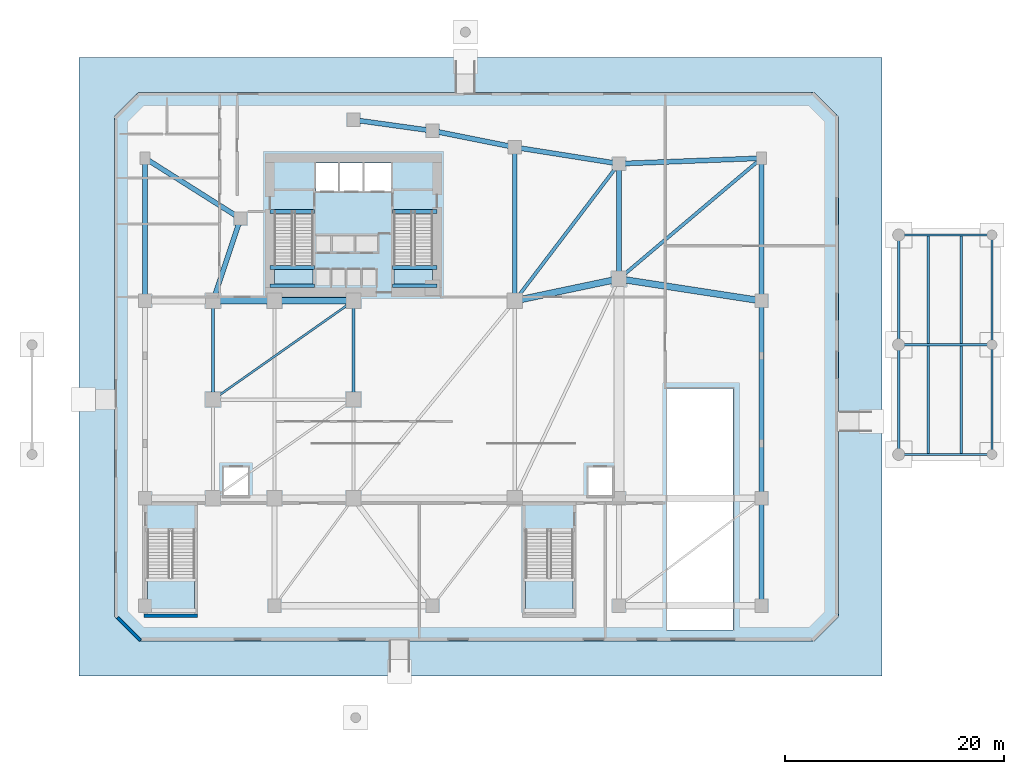
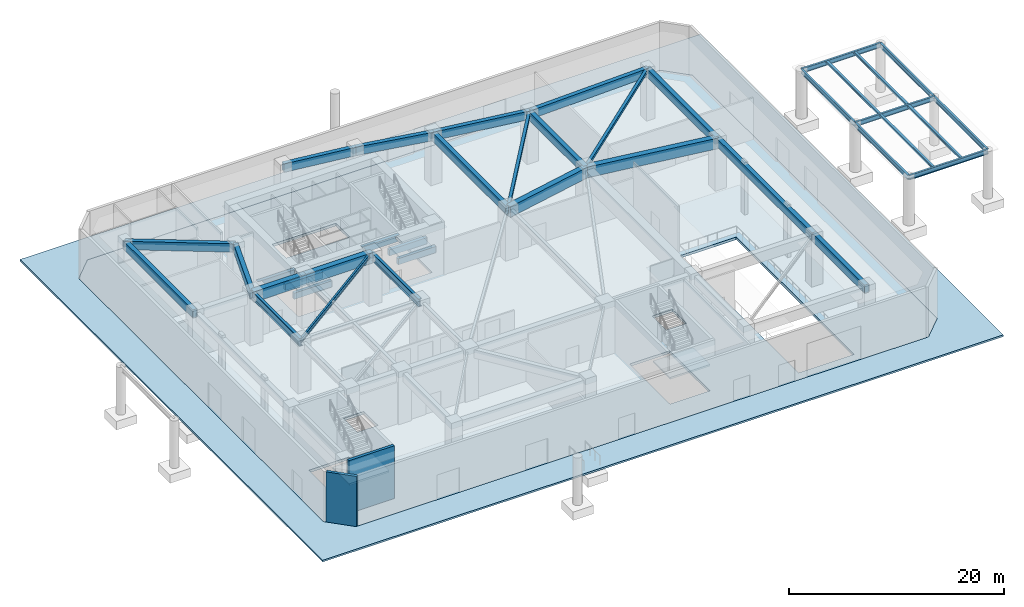
# One storey, part 2 of 13: 34 beams, 6 slabs, 4 members, 2 walls, 4 elements without a shape of their own.
"""IFC4 building model written with IfcOpenShell, lengths in metres."""

from ifc_helpers import new_model, si_unit, direction, frame, frame_2d, origin, origin_2d, place, context, subcontext, project, spatial, polyline, rectangle, i_section, outline, extrude, source, transform, mapped, material, layer, layer_set, material_profile, profile_set, type_object, element, aggregate, save


model = new_model("IFC4")

# Units and contexts
model_context = context("Model", 3, precision=1e-05, world=origin(), true_north=direction((0.0, 1.0)))
body_context = subcontext(model_context, "Body", "Model", "MODEL_VIEW")
ifc_project = project(units=[si_unit("LENGTHUNIT", "METRE"), si_unit("AREAUNIT", "SQUARE_METRE"), si_unit("VOLUMEUNIT", "CUBIC_METRE"), si_unit("PLANEANGLEUNIT", "RADIAN"), si_unit("MASSUNIT", "GRAM", prefix="KILO")], contexts=[model_context])

# Site, building, storey
site_placement = place(None, origin())
site = spatial("IfcSite", under=ifc_project, at=site_placement, CompositionType="ELEMENT")
building_placement = place(site_placement, origin())
building = spatial("IfcBuilding", under=site, at=building_placement, Name="Calvemar Wedge Station Tower", CompositionType="ELEMENT")
storey_placement = place(building_placement, origin())
storey = spatial("IfcBuildingStorey", under=building, at=storey_placement, Name="L01", CompositionType="ELEMENT", Elevation=0.0)

# Beams
ifc_material_1 = material(Name="Concrete C70", Category="concrete")
ifc_material_profile_1 = material_profile(ifc_material_1, rectangle(XDim=0.35009765625, YDim=0.699951171875, at=origin_2d()), Name="RC350x700")
ifc_profile_set_1 = profile_set([ifc_material_profile_1], Name="Concrete C70")
beam_type_1 = type_object("IfcBeamType", Name="BM-LN1-700", PredefinedType="LINTEL", material=ifc_profile_set_1)
shared_shape_1 = source(origin(), body_context, "Body", "SweptSolid", [
    extrude(rectangle(XDim=0.35009765625, YDim=0.699951171875, at=origin_2d()), origin(), (0.0, 0.0, 1.0), 4.054931640625),
])
for number, where, z_axis, x_axis, name in (
    (1, (16.175048828125, 41.14990234375, -0.35009765625), (1.0, 0.0, 0.0), (0.0, 1.0, 0.0), "Storey L01 Stair ST-C1 Landing Trimmer Beam"),
    (2, (27.3701171875, 41.14990234375, -0.35009765625), (1.0, 0.0, 0.0), (0.0, 1.0, 0.0), "Storey L01 Stair ST-C2 Landing Trimmer Beam"),
    (3, (16.175048828125, 34.3798828125, 2.449951171875), (1.0, 0.0, 0.0), (0.0, 1.0, 0.0), "Storey L01 Stair ST-C1 Half-Landing Beam 1A"),
    (4, (16.175048828125, 36.0400390625, 2.449951171875), (1.0, 0.0, 0.0), (0.0, 1.0, 0.0), "Storey L01 Stair ST-C1 Half-Landing Beam 1B"),
    (5, (27.3701171875, 34.3798828125, 2.449951171875), (1.0, 0.0, 0.0), (0.0, 1.0, 0.0), "Storey L01 Stair ST-C2 Half-Landing Beam 1A"),
    (6, (27.3701171875, 36.0400390625, 2.449951171875), (1.0, 0.0, 0.0), (0.0, 1.0, 0.0), "Storey L01 Stair ST-C2 Half-Landing Beam 1B"),
):
    element("IfcBeam", number, at=place(storey_placement, frame(where, z_axis=z_axis, x_axis=x_axis)), inside=storey, type_object=beam_type_1, Name=name, PredefinedType="LINTEL", context=body_context, shape_type="MappedRepresentation", body=[
        mapped(shared_shape_1, transform((0.0, 0.0, 0.0), scale=1.0)),
    ])
ifc_material_2 = material(Name="Concrete C60", Category="concrete")
ifc_material_profile_2 = material_profile(ifc_material_2, rectangle(XDim=0.60009765625, YDim=1.199951171875, at=origin_2d()), Name="RC600x1200")
ifc_profile_set_2 = profile_set([ifc_material_profile_2], Name="Concrete C60")
beam_type_2 = type_object("IfcBeamType", Name="BM-G1-1200", PredefinedType="BEAM", material=ifc_profile_set_2)
shared_shape_2 = source(origin(), body_context, "Body", "SweptSolid", [
    extrude(rectangle(XDim=0.60009765625, YDim=1.199951171875, at=origin_2d()), origin(), (0.0, 0.0, 1.0), 5.60009765625),
])
beam_1_placement = place(storey_placement, frame((11.0, 33.0, 5.10009765625), z_axis=(1.0, 0.0, 0.0), x_axis=(0.0, 1.0, 0.0)))
element("IfcBeam", 7, at=beam_1_placement, inside=storey, type_object=beam_type_2, Name="Storey L01 Primary Girder G12", PredefinedType="BEAM", context=body_context, shape_type="MappedRepresentation", body=[
    mapped(shared_shape_2, transform((0.0, 0.0, 0.0), scale=1.0)),
])
shared_shape_3 = source(origin(), body_context, "Body", "SweptSolid", [
    extrude(rectangle(XDim=0.60009765625, YDim=1.199951171875, at=origin_2d()), origin(), (0.0, 0.0, 1.0), 7.199951171875),
])
beam_2_placement = place(storey_placement, frame((16.60009765625, 33.0, 5.10009765625), z_axis=(1.0, 0.0, 0.0), x_axis=(0.0, 1.0, 0.0)))
element("IfcBeam", 8, at=beam_2_placement, inside=storey, type_object=beam_type_2, Name="Storey L01 Primary Girder G13", PredefinedType="BEAM", context=body_context, shape_type="MappedRepresentation", body=[
    mapped(shared_shape_3, transform((0.0, 0.0, 0.0), scale=1.0)),
])
shared_shape_4 = source(origin(), body_context, "Body", "SweptSolid", [
    extrude(rectangle(XDim=0.60009765625, YDim=1.199951171875, at=origin_2d()), origin(), (0.0, 0.0, 1.0), 9.708251953125),
])
beam_3_placement = place(storey_placement, frame((38.5, 33.0, 5.10009765625), z_axis=(0.978549784987, 0.20601048105, 0.0), x_axis=(-0.20601048105, 0.978549784987, 0.0)))
element("IfcBeam", 9, at=beam_3_placement, inside=storey, type_object=beam_type_2, Name="Storey L01 Primary Girder G16", PredefinedType="BEAM", context=body_context, shape_type="MappedRepresentation", body=[
    mapped(shared_shape_4, transform((0.0, 0.0, 0.0), scale=1.0)),
])
shared_shape_5 = source(origin(), body_context, "Body", "SweptSolid", [
    extrude(rectangle(XDim=0.60009765625, YDim=1.199951171875, at=origin_2d()), origin(), (0.0, 0.0, 1.0), 13.15283203125),
])
beam_4_placement = place(storey_placement, frame((48.0, 35.0, 5.10009765625), z_axis=(0.988371697651, -0.152057184254, 0.0), x_axis=(0.152057184254, 0.988371697651, 0.0)))
element("IfcBeam", 10, at=beam_4_placement, inside=storey, type_object=beam_type_2, Name="Storey L01 Primary Girder G17", PredefinedType="BEAM", context=body_context, shape_type="MappedRepresentation", body=[
    mapped(shared_shape_5, transform((0.0, 0.0, 0.0), scale=1.0)),
])
ifc_material_3 = material(Name="Concrete C50", Category="concrete")
ifc_material_profile_3 = material_profile(ifc_material_3, rectangle(XDim=0.449951171875, YDim=0.949951171875, at=origin_2d()), Name="RC450x950")
ifc_profile_set_3 = profile_set([ifc_material_profile_3], Name="Concrete C50")
beam_type_3 = type_object("IfcBeamType", Name="BM-G2-950", PredefinedType="BEAM", material=ifc_profile_set_3)
shared_shape_6 = source(origin(), body_context, "Body", "SweptSolid", [
    extrude(rectangle(XDim=0.449951171875, YDim=0.949951171875, at=origin_2d()), origin(), (0.0, 0.0, 1.0), 18.0),
])
beam_5_placement = place(storey_placement, frame((61.0, 15.0, 5.22509765625), z_axis=(0.0, 1.0, 0.0), x_axis=(-1.0, 0.0, 0.0)))
element("IfcBeam", 11, at=beam_5_placement, inside=storey, type_object=beam_type_3, Name="Storey L01 Primary Girder G26", PredefinedType="BEAM", context=body_context, shape_type="MappedRepresentation", body=[
    mapped(shared_shape_6, transform((0.0, 0.0, 0.0), scale=1.0)),
])
ifc_material_4 = material(Name="Structural steel ASTM A572 Grade 50", Category="steel")
ifc_material_profile_4 = material_profile(ifc_material_4, i_section(OverallWidth=0.303955078125, OverallDepth=0.862060546875, WebThickness=0.019775390625, FlangeThickness=0.035888671875, FilletRadius=0.02001953125, at=origin_2d()), Name="W840x329")
ifc_profile_set_4 = profile_set([ifc_material_profile_4], Name="Structural steel ASTM A572 Grade 50")
beam_type_4 = type_object("IfcBeamType", Name="BM-TR2-W840", PredefinedType="BEAM", material=ifc_profile_set_4)
shared_shape_7 = source(origin(), body_context, "Body", "SweptSolid", [
    extrude(i_section(OverallWidth=0.303955078125, OverallDepth=0.862060546875, WebThickness=0.019775390625, FlangeThickness=0.035888671875, FilletRadius=0.02001953125, at=origin_2d()), origin(), (0.0, 0.0, 1.0), 9.0),
])
for number, where, z_axis, x_axis, name in (
    (12, (11.0, 24.0, 5.26904296875), (0.0, 1.0, 0.0), (-1.0, 0.0, 0.0), "Storey L01 Primary Girder G20"),
    (13, (23.800048828125, 24.0, 5.26904296875), (0.0, 1.0, 0.0), (-1.0, 0.0, 0.0), "Storey L01 Primary Girder G23"),
):
    element("IfcBeam", number, at=place(storey_placement, frame(where, z_axis=z_axis, x_axis=x_axis)), inside=storey, type_object=beam_type_4, Name=name, PredefinedType="BEAM", context=body_context, shape_type="MappedRepresentation", body=[
        mapped(shared_shape_7, transform((0.0, 0.0, 0.0), scale=1.0)),
    ])
shared_shape_8 = source(origin(), body_context, "Body", "SweptSolid", [
    extrude(rectangle(XDim=0.449951171875, YDim=0.949951171875, at=origin_2d()), origin(), (0.0, 0.0, 1.0), 9.800048828125),
])
beam_6_placement = place(storey_placement, frame((61.0, 5.199951171875, 5.22509765625), z_axis=(0.0, 1.0, 0.0), x_axis=(-1.0, 0.0, 0.0)))
element("IfcBeam", 14, at=beam_6_placement, inside=storey, type_object=beam_type_3, Name="Storey L01 Primary Girder G32", PredefinedType="BEAM", context=body_context, shape_type="MappedRepresentation", body=[
    mapped(shared_shape_8, transform((0.0, 0.0, 0.0), scale=1.0)),
])
shared_shape_9 = source(origin(), body_context, "Body", "SweptSolid", [
    extrude(rectangle(XDim=0.449951171875, YDim=0.949951171875, at=origin_2d()), origin(), (0.0, 0.0, 1.0), 13.0),
])
for number, where, z_axis, x_axis, name in (
    (15, (4.800048828125, 33.0, 5.22509765625), (0.0, 1.0, 0.0), (-1.0, 0.0, 0.0), "Storey L01 Primary Girder G33"),
    (16, (61.0, 33.0, 5.22509765625), (0.0, 1.0, 0.0), (-1.0, 0.0, 0.0), "Storey L01 Primary Girder G37"),
):
    element("IfcBeam", number, at=place(storey_placement, frame(where, z_axis=z_axis, x_axis=x_axis)), inside=storey, type_object=beam_type_3, Name=name, PredefinedType="BEAM", context=body_context, shape_type="MappedRepresentation", body=[
        mapped(shared_shape_9, transform((0.0, 0.0, 0.0), scale=1.0)),
    ])
shared_shape_10 = source(origin(), body_context, "Body", "SweptSolid", [
    extrude(rectangle(XDim=0.449951171875, YDim=0.949951171875, at=origin_2d()), origin(), (0.0, 0.0, 1.0), 7.90576171875),
])
beam_7_placement = place(storey_placement, frame((11.0, 33.0, 5.22509765625), z_axis=(0.316227766017, 0.948683298051, 0.0), x_axis=(-0.948683298051, 0.316227766017, 0.0)))
element("IfcBeam", 17, at=beam_7_placement, inside=storey, type_object=beam_type_3, Name="Storey L01 Primary Girder G34", PredefinedType="BEAM", context=body_context, shape_type="MappedRepresentation", body=[
    mapped(shared_shape_10, transform((0.0, 0.0, 0.0), scale=1.0)),
])
shared_shape_11 = source(origin(), body_context, "Body", "SweptSolid", [
    extrude(rectangle(XDim=0.449951171875, YDim=0.949951171875, at=origin_2d()), origin(), (0.0, 0.0, 1.0), 14.0),
])
beam_8_placement = place(storey_placement, frame((38.5, 33.0, 5.22509765625), z_axis=(0.0, 1.0, 0.0), x_axis=(-1.0, 0.0, 0.0)))
element("IfcBeam", 18, at=beam_8_placement, inside=storey, type_object=beam_type_3, Name="Storey L01 Primary Girder G35", PredefinedType="BEAM", context=body_context, shape_type="MappedRepresentation", body=[
    mapped(shared_shape_11, transform((0.0, 0.0, 0.0), scale=1.0)),
])
shared_shape_12 = source(origin(), body_context, "Body", "SweptSolid", [
    extrude(rectangle(XDim=0.449951171875, YDim=0.949951171875, at=origin_2d()), origin(), (0.0, 0.0, 1.0), 10.5),
])
beam_9_placement = place(storey_placement, frame((48.0, 35.0, 5.22509765625), z_axis=(0.0, 1.0, 0.0), x_axis=(-1.0, 0.0, 0.0)))
element("IfcBeam", 19, at=beam_9_placement, inside=storey, type_object=beam_type_3, Name="Storey L01 Primary Girder G36", PredefinedType="BEAM", context=body_context, shape_type="MappedRepresentation", body=[
    mapped(shared_shape_12, transform((0.0, 0.0, 0.0), scale=1.0)),
])
shared_shape_13 = source(origin(), body_context, "Body", "SweptSolid", [
    extrude(rectangle(XDim=0.449951171875, YDim=0.949951171875, at=origin_2d()), origin(), (0.0, 0.0, 1.0), 10.292724609375),
])
beam_10_placement = place(storey_placement, frame((4.800048828125, 46.0, 5.22509765625), z_axis=(0.845256603473, -0.534360621946, 0.0), x_axis=(0.534360621946, 0.845256603473, 0.0)))
element("IfcBeam", 20, at=beam_10_placement, inside=storey, type_object=beam_type_3, Name="Storey L01 Primary Girder G38", PredefinedType="BEAM", context=body_context, shape_type="MappedRepresentation", body=[
    mapped(shared_shape_13, transform((0.0, 0.0, 0.0), scale=1.0)),
])
shared_shape_14 = source(origin(), body_context, "Body", "SweptSolid", [
    extrude(rectangle(XDim=0.449951171875, YDim=0.949951171875, at=origin_2d()), origin(), (0.0, 0.0, 1.0), 7.26904296875),
])
beam_11_placement = place(storey_placement, frame((23.800048828125, 49.5, 5.22509765625), z_axis=(0.990492146053, -0.13756928657, 0.0), x_axis=(0.13756928657, 0.990492146053, 0.0)))
element("IfcBeam", 21, at=beam_11_placement, inside=storey, type_object=beam_type_3, Name="Storey L01 Primary Girder G39", PredefinedType="BEAM", context=body_context, shape_type="MappedRepresentation", body=[
    mapped(shared_shape_14, transform((0.0, 0.0, 0.0), scale=1.0)),
])
shared_shape_15 = source(origin(), body_context, "Body", "SweptSolid", [
    extrude(rectangle(XDim=0.449951171875, YDim=0.949951171875, at=origin_2d()), origin(), (0.0, 0.0, 1.0), 7.6484375),
])
beam_12_placement = place(storey_placement, frame((31.0, 48.5, 5.22509765625), z_axis=(0.980580675691, -0.196116135138, 0.0), x_axis=(0.196116135138, 0.980580675691, 0.0)))
element("IfcBeam", 22, at=beam_12_placement, inside=storey, type_object=beam_type_3, Name="Storey L01 Primary Girder G40", PredefinedType="BEAM", context=body_context, shape_type="MappedRepresentation", body=[
    mapped(shared_shape_15, transform((0.0, 0.0, 0.0), scale=1.0)),
])
shared_shape_16 = source(origin(), body_context, "Body", "SweptSolid", [
    extrude(rectangle(XDim=0.449951171875, YDim=0.949951171875, at=origin_2d()), origin(), (0.0, 0.0, 1.0), 9.61767578125),
])
beam_13_placement = place(storey_placement, frame((38.5, 47.0, 5.22509765625), z_axis=(0.987762965329, -0.155962573473, 0.0), x_axis=(0.155962573473, 0.987762965329, 0.0)))
element("IfcBeam", 23, at=beam_13_placement, inside=storey, type_object=beam_type_3, Name="Storey L01 Primary Girder G41", PredefinedType="BEAM", context=body_context, shape_type="MappedRepresentation", body=[
    mapped(shared_shape_16, transform((0.0, 0.0, 0.0), scale=1.0)),
])
shared_shape_17 = source(origin(), body_context, "Body", "SweptSolid", [
    extrude(rectangle(XDim=0.449951171875, YDim=0.949951171875, at=origin_2d()), origin(), (0.0, 0.0, 1.0), 13.009521484375),
])
beam_14_placement = place(storey_placement, frame((48.0, 45.5, 5.22509765625), z_axis=(0.999261174631, 0.038433122101, 0.0), x_axis=(-0.038433122101, 0.999261174631, 0.0)))
element("IfcBeam", 24, at=beam_14_placement, inside=storey, type_object=beam_type_3, Name="Storey L01 Primary Girder G42", PredefinedType="BEAM", context=body_context, shape_type="MappedRepresentation", body=[
    mapped(shared_shape_17, transform((0.0, 0.0, 0.0), scale=1.0)),
])
ifc_material_profile_5 = material_profile(ifc_material_4, i_section(OverallWidth=0.19189453125, OverallDepth=0.462890625, WebThickness=0.010498046875, FlangeThickness=0.017578125, FilletRadius=0.012939453125, at=origin_2d()), Name="W460x89")
ifc_profile_set_5 = profile_set([ifc_material_profile_5], Name="Structural steel ASTM A572 Grade 50")
beam_type_5 = type_object("IfcBeamType", Name="BM-J1-W460", PredefinedType="JOIST", material=ifc_profile_set_5)
shared_shape_18 = source(origin(), body_context, "Body", "SweptSolid", [
    extrude(i_section(OverallWidth=0.19189453125, OverallDepth=0.462890625, WebThickness=0.010498046875, FlangeThickness=0.017578125, FilletRadius=0.012939453125, at=origin_2d()), origin(), (0.0, 0.0, 1.0), 15.6474609375),
])
beam_15_placement = place(storey_placement, frame((11.0, 24.0, 5.468505859375), z_axis=(0.818030190743, 0.575175283747, 0.0), x_axis=(-0.575175283747, 0.818030190743, 0.0)))
element("IfcBeam", 25, at=beam_15_placement, inside=storey, type_object=beam_type_5, Name="Storey L01 Concourse Cross Joist 2", PredefinedType="JOIST", context=body_context, shape_type="MappedRepresentation", body=[
    mapped(shared_shape_18, transform((0.0, 0.0, 0.0), scale=1.0)),
])
ifc_material_profile_6 = material_profile(ifc_material_4, i_section(OverallWidth=0.30908203125, OverallDepth=0.322998046875, WebThickness=0.013916015625, FlangeThickness=0.02294921875, FilletRadius=0.014892578125, at=origin_2d()), Name="W310x143")
ifc_profile_set_6 = profile_set([ifc_material_profile_6], Name="Structural steel ASTM A572 Grade 50")
beam_type_6 = type_object("IfcBeamType", Name="BM-J5-W310H", PredefinedType="JOIST", material=ifc_profile_set_6)
shared_shape_19 = source(origin(), body_context, "Body", "SweptSolid", [
    extrude(i_section(OverallWidth=0.30908203125, OverallDepth=0.322998046875, WebThickness=0.013916015625, FlangeThickness=0.02294921875, FilletRadius=0.014892578125, at=origin_2d()), origin(), (0.0, 0.0, 1.0), 15.700439453125),
])
beam_16_placement = place(storey_placement, frame((38.5, 33.0, 5.53857421875), z_axis=(0.605083267534, 0.796162194123, 0.0), x_axis=(-0.796162194123, 0.605083267534, 0.0)))
element("IfcBeam", 26, at=beam_16_placement, inside=storey, type_object=beam_type_6, Name="Storey L01 Concourse Cross Joist 11", PredefinedType="JOIST", context=body_context, shape_type="MappedRepresentation", body=[
    mapped(shared_shape_19, transform((0.0, 0.0, 0.0), scale=1.0)),
])
shared_shape_20 = source(origin(), body_context, "Body", "SweptSolid", [
    extrude(i_section(OverallWidth=0.30908203125, OverallDepth=0.322998046875, WebThickness=0.013916015625, FlangeThickness=0.02294921875, FilletRadius=0.014892578125, at=origin_2d()), origin(), (0.0, 0.0, 1.0), 17.029296875),
])
beam_17_placement = place(storey_placement, frame((48.0, 35.0, 5.53857421875), z_axis=(0.763386285369, 0.645942241466, 0.0), x_axis=(-0.645942241466, 0.763386285369, 0.0)))
element("IfcBeam", 27, at=beam_17_placement, inside=storey, type_object=beam_type_6, Name="Storey L01 Concourse Cross Joist 12", PredefinedType="JOIST", context=body_context, shape_type="MappedRepresentation", body=[
    mapped(shared_shape_20, transform((0.0, 0.0, 0.0), scale=1.0)),
])
ifc_material_profile_7 = material_profile(ifc_material_4, i_section(OverallWidth=0.2109375, OverallDepth=0.5390625, WebThickness=0.01171875, FlangeThickness=0.018798828125, FilletRadius=0.012939453125, at=origin_2d()), Name="W530x109")
ifc_profile_set_7 = profile_set([ifc_material_profile_7], Name="Structural steel ASTM A572 Grade 50")
beam_type_7 = type_object("IfcBeamType", Name="BM-SB4-W530", PredefinedType="BEAM", material=ifc_profile_set_7)
shared_shape_21 = source(origin(), body_context, "Body", "SweptSolid", [
    extrude(i_section(OverallWidth=0.2109375, OverallDepth=0.5390625, WebThickness=0.01171875, FlangeThickness=0.018798828125, FilletRadius=0.012939453125, at=origin_2d()), origin(), (0.0, 0.0, 1.0), 10.0),
])
for number, where, z_axis, x_axis, name in (
    (28, (73.5, 19.0, 5.130615234375), (0.0, 1.0, 0.0), (-1.0, 0.0, 0.0), "Concourse Canopy Beam P-CAN1-P-CAN2"),
    (29, (73.5, 29.0, 5.130615234375), (0.0, 1.0, 0.0), (-1.0, 0.0, 0.0), "Concourse Canopy Beam P-CAN2-P-CAN3"),
    (30, (82.0, 19.0, 5.130615234375), (0.0, 1.0, 0.0), (-1.0, 0.0, 0.0), "Concourse Canopy Beam P-CAN4-P-CAN5"),
    (31, (82.0, 29.0, 5.130615234375), (0.0, 1.0, 0.0), (-1.0, 0.0, 0.0), "Concourse Canopy Beam P-CAN5-P-CAN6"),
):
    element("IfcBeam", number, at=place(storey_placement, frame(where, z_axis=z_axis, x_axis=x_axis)), inside=storey, type_object=beam_type_7, Name=name, PredefinedType="BEAM", context=body_context, shape_type="MappedRepresentation", body=[
        mapped(shared_shape_21, transform((0.0, 0.0, 0.0), scale=1.0)),
    ])
shared_shape_22 = source(origin(), body_context, "Body", "SweptSolid", [
    extrude(i_section(OverallWidth=0.2109375, OverallDepth=0.5390625, WebThickness=0.01171875, FlangeThickness=0.018798828125, FilletRadius=0.012939453125, at=origin_2d()), origin(), (0.0, 0.0, 1.0), 8.5),
])
for number, where, z_axis, x_axis, name in (
    (32, (73.5, 19.0, 5.130615234375), (1.0, 0.0, 0.0), (0.0, 1.0, 0.0), "Concourse Canopy Beam P-CAN1-P-CAN4"),
    (33, (73.5, 29.0, 5.130615234375), (1.0, 0.0, 0.0), (0.0, 1.0, 0.0), "Concourse Canopy Beam P-CAN2-P-CAN5"),
    (34, (73.5, 39.0, 5.130615234375), (1.0, 0.0, 0.0), (0.0, 1.0, 0.0), "Concourse Canopy Beam P-CAN3-P-CAN6"),
):
    element("IfcBeam", number, at=place(storey_placement, frame(where, z_axis=z_axis, x_axis=x_axis)), inside=storey, type_object=beam_type_7, Name=name, PredefinedType="BEAM", context=body_context, shape_type="MappedRepresentation", body=[
        mapped(shared_shape_22, transform((0.0, 0.0, 0.0), scale=1.0)),
    ])

# Members
ifc_material_profile_8 = material_profile(ifc_material_4, i_section(OverallWidth=0.25390625, OverallDepth=0.2529296875, WebThickness=0.008544921875, FlangeThickness=0.01416015625, FilletRadius=0.011962890625, at=origin_2d()), Name="W250x73")
ifc_profile_set_8 = profile_set([ifc_material_profile_8], Name="Structural steel ASTM A572 Grade 50")
member_type = type_object("IfcMemberType", Name="MEM-PR1-W250", PredefinedType="PURLIN", material=ifc_profile_set_8)
shared_shape_23 = source(origin(), body_context, "Body", "SweptSolid", [
    extrude(i_section(OverallWidth=0.25390625, OverallDepth=0.2529296875, WebThickness=0.008544921875, FlangeThickness=0.01416015625, FilletRadius=0.011962890625, at=origin_2d()), origin(), (0.0, 0.0, 1.0), 10.0),
])
for number, where, z_axis, x_axis, name in (
    (35, (76.199951171875, 19.0, 5.2734375), (0.0, 1.0, 0.0), (-1.0, 0.0, 0.0), "Concourse Canopy Steel Purlin 1.1"),
    (36, (76.199951171875, 29.0, 5.2734375), (0.0, 1.0, 0.0), (-1.0, 0.0, 0.0), "Concourse Canopy Steel Purlin 1.2"),
    (37, (79.199951171875, 19.0, 5.2734375), (0.0, 1.0, 0.0), (-1.0, 0.0, 0.0), "Concourse Canopy Steel Purlin 2.1"),
    (38, (79.199951171875, 29.0, 5.2734375), (0.0, 1.0, 0.0), (-1.0, 0.0, 0.0), "Concourse Canopy Steel Purlin 2.2"),
):
    element("IfcMember", number, at=place(storey_placement, frame(where, z_axis=z_axis, x_axis=x_axis)), inside=storey, type_object=member_type, Name=name, PredefinedType="PURLIN", context=body_context, shape_type="MappedRepresentation", body=[
        mapped(shared_shape_23, transform((0.0, 0.0, 0.0), scale=1.0)),
    ])

# Slabs
ifc_material_5 = material(Name="Concrete C40", Category="concrete")
ifc_layer_1 = layer(ifc_material_5, 0.199951171875)
ifc_layer_set_1 = layer_set([ifc_layer_1], Name="Concrete C40")
slab_type_1 = type_object("IfcSlabType", Name="SL-PAV-200", PredefinedType="USERDEFINED", material=ifc_layer_set_1)
slab_1_placement = place(storey_placement, frame((0.0, 0.0, -0.199951171875)))
element("IfcSlab", 39, at=slab_1_placement, inside=storey, type_object=slab_type_1, Name="L01 Grade Forecourt and Street Paving Apron", ObjectType="PAVING", PredefinedType="USERDEFINED", context=body_context, shape_type="SweptSolid", body=[
    extrude(outline(polyline([(-1.199951171875, -1.199951171875), (72.0, -1.199951171875), (72.0, 55.199951171875), (-1.199951171875, 55.199951171875), (-1.199951171875, -1.199951171875)]), holes=[polyline([(4.199951171875, 2.0), (65.800048828125, 2.0), (68.0, 4.199951171875), (68.0, 49.800048828125), (65.800048828125, 52.0), (4.199951171875, 52.0), (2.0, 49.800048828125), (2.0, 4.199951171875), (4.199951171875, 2.0)])]), origin(), (0.0, 0.0, 1.0), 0.199951171875),
])
ifc_layer_2 = layer(ifc_material_3, 0.300048828125)
ifc_layer_set_2 = layer_set([ifc_layer_2], Name="Concrete C50")
slab_type_2 = type_object("IfcSlabType", Name="SL-POD-300", PredefinedType="FLOOR", material=ifc_layer_set_2)
slab_2_placement = place(storey_placement, frame((0.0, 0.0, -0.300048828125)))
element("IfcSlab", 40, at=slab_2_placement, inside=storey, type_object=slab_type_2, Name="Storey L01 Structural Floor Slab", PredefinedType="FLOOR", context=body_context, shape_type="SweptSolid", body=[
    extrude(outline(polyline([(4.199951171875, 2.0), (65.800048828125, 2.0), (68.0, 4.199951171875), (68.0, 49.800048828125), (65.800048828125, 52.0), (4.199951171875, 52.0), (2.0, 49.800048828125), (2.0, 4.199951171875), (4.199951171875, 2.0)]), holes=[polyline([(5.0, 4.60009765625), (9.300048828125, 4.60009765625), (9.300048828125, 12.10009765625), (5.0, 12.10009765625), (5.0, 4.60009765625)]), polyline([(39.5, 4.60009765625), (43.800048828125, 4.60009765625), (43.800048828125, 12.10009765625), (39.5, 12.10009765625), (39.5, 4.60009765625)]), polyline([(58.39990234375, 25.0), (52.39990234375, 25.0), (52.39990234375, 3.0), (58.39990234375, 3.0), (58.39990234375, 25.0)]), polyline([(14.199951171875, 15.199951171875), (14.199951171875, 17.800048828125), (12.0, 17.800048828125), (12.0, 15.199951171875), (14.199951171875, 15.199951171875)]), polyline([(47.39990234375, 15.199951171875), (47.39990234375, 17.800048828125), (45.199951171875, 17.800048828125), (45.199951171875, 15.199951171875), (47.39990234375, 15.199951171875)]), polyline([(16.60009765625, 34.199951171875), (20.10009765625, 34.199951171875), (20.10009765625, 41.14990234375), (16.60009765625, 41.14990234375), (16.60009765625, 34.199951171875)]), polyline([(27.5, 34.199951171875), (31.0, 34.199951171875), (31.0, 41.14990234375), (27.5, 41.14990234375), (27.5, 34.199951171875)]), polyline([(27.219970703125, 43.0), (27.219970703125, 45.580078125), (20.3798828125, 45.580078125), (20.3798828125, 43.0), (27.219970703125, 43.0)])]), origin(), (0.0, 0.0, 1.0), 0.300048828125),
])

# Stair, slab
ifc_material_6 = material(Name="Concrete C45", Category="concrete")
stair_type_1 = type_object("IfcStairType", Name="ST-TYPE-6000", PredefinedType="HALF_TURN_STAIR", material=ifc_material_6)
stair_1_placement = place(storey_placement, origin())
stair_1 = element("IfcStair", 41, at=stair_1_placement, inside=storey, type_object=stair_type_1, Name="L01 Pressurized Core Exit Stair ST-C1", PredefinedType="HALF_TURN_STAIR")
ifc_layer_3 = layer(ifc_material_6, 0.199951171875)
ifc_layer_set_3 = layer_set([ifc_layer_3], Name="Concrete C45")
slab_type_3 = type_object("IfcSlabType", Name="SL-STAIR-LND-200", PredefinedType="LANDING", material=ifc_layer_set_3)
slab_3_placement = place(storey_placement, frame((0.0, 0.0, 2.800048828125)))
slab_3 = element("IfcSlab", 42, at=slab_3_placement, type_object=slab_type_3, Name="ST-C1 landing 1", PredefinedType="LANDING", context=body_context, shape_type="SweptSolid", body=[
    extrude(outline(polyline([(16.60009765625, 36.219970703125), (16.60009765625, 34.199951171875), (20.10009765625, 34.199951171875), (20.10009765625, 36.219970703125), (16.60009765625, 36.219970703125)])), origin(), (0.0, 0.0, 1.0), 0.199951171875),
])
aggregate(stair_1, [slab_3])

stair_2_placement = place(storey_placement, origin())
stair_2 = element("IfcStair", 43, at=stair_2_placement, inside=storey, type_object=stair_type_1, Name="L01 Pressurized Core Exit Stair ST-C2", PredefinedType="HALF_TURN_STAIR")
slab_4_placement = place(storey_placement, frame((0.0, 0.0, 2.800048828125)))
slab_4 = element("IfcSlab", 44, at=slab_4_placement, type_object=slab_type_3, Name="ST-C2 landing 1", PredefinedType="LANDING", context=body_context, shape_type="SweptSolid", body=[
    extrude(outline(polyline([(27.5, 36.219970703125), (27.5, 34.199951171875), (31.0, 34.199951171875), (31.0, 36.219970703125), (27.5, 36.219970703125)])), origin(), (0.0, 0.0, 1.0), 0.199951171875),
])
aggregate(stair_2, [slab_4])

stair_type_2 = type_object("IfcStairType", Name="ST-TYPE-POD6000", PredefinedType="HALF_TURN_STAIR", material=ifc_material_6)
stair_3_placement = place(storey_placement, origin())
stair_3 = element("IfcStair", 45, at=stair_3_placement, inside=storey, type_object=stair_type_2, Name="L01 Station Podium Exit Stair ST-P1", PredefinedType="HALF_TURN_STAIR")
slab_5_placement = place(storey_placement, frame((0.0, 0.0, 2.800048828125)))
slab_5 = element("IfcSlab", 46, at=slab_5_placement, type_object=slab_type_3, Name="ST-P1 landing 1", PredefinedType="LANDING", context=body_context, shape_type="SweptSolid", body=[
    extrude(outline(polyline([(5.0, 7.75), (5.0, 4.60009765625), (9.300048828125, 4.60009765625), (9.300048828125, 7.75), (5.0, 7.75)])), origin(), (0.0, 0.0, 1.0), 0.199951171875),
])
aggregate(stair_3, [slab_5])

stair_4_placement = place(storey_placement, origin())
stair_4 = element("IfcStair", 47, at=stair_4_placement, inside=storey, type_object=stair_type_2, Name="L01 Station Podium Exit Stair ST-P2", PredefinedType="HALF_TURN_STAIR")
slab_6_placement = place(storey_placement, frame((0.0, 0.0, 2.800048828125)))
slab_6 = element("IfcSlab", 48, at=slab_6_placement, type_object=slab_type_3, Name="ST-P2 landing 1", PredefinedType="LANDING", context=body_context, shape_type="SweptSolid", body=[
    extrude(outline(polyline([(39.5, 7.75), (39.5, 4.60009765625), (43.800048828125, 4.60009765625), (43.800048828125, 7.75), (39.5, 7.75)])), origin(), (0.0, 0.0, 1.0), 0.199951171875),
])
aggregate(stair_4, [slab_6])

# Walls
ifc_layer_4 = layer(ifc_material_3, 0.300048828125)
ifc_layer_set_4 = layer_set([ifc_layer_4], Name="Concrete C50")
wall_type_1 = type_object("IfcWallType", Name="SW-CORE-300", PredefinedType="SHEAR", material=ifc_layer_set_4)
wall_1_placement = place(storey_placement, frame((4.699951171875, 4.300048828125, 0.0), z_axis=(0.0, 0.0, 1.0), x_axis=(1.0, 0.0, 0.0)))
element("IfcWall", 49, at=wall_1_placement, inside=storey, type_object=wall_type_1, Name="Storey L01 Podium Stair STP1 Structural Wall S", PredefinedType="SHEAR", context=body_context, shape_type="SweptSolid", body=[
    extrude(rectangle(XDim=4.900146484375, YDim=0.300048828125, at=frame_2d((2.4501953125, 0.0))), origin(), (0.0, 0.0, 1.0), 6.0),
])
ifc_material_7 = material(Name="Precast concrete C45", Category="concrete")
ifc_layer_5 = layer(ifc_material_7, 0.300048828125)
ifc_layer_set_5 = layer_set([ifc_layer_5], Name="Precast concrete C45")
wall_type_2 = type_object("IfcWallType", Name="W-EXT-GFRC-300", PredefinedType="SOLIDWALL", material=ifc_layer_set_5)
wall_2_placement = place(storey_placement, frame((4.3681640625, 2.0439453125, 0.0), z_axis=(0.0, 0.0, 1.0), x_axis=(-0.707106781187, 0.707106781187, 0.0)))
element("IfcWall", 50, at=wall_2_placement, inside=storey, type_object=wall_type_2, Name="Storey L01 Bronze GFRC Exterior Wall 7", PredefinedType="SOLIDWALL", context=body_context, shape_type="SweptSolid", body=[
    extrude(rectangle(XDim=2.941650390625, YDim=0.300048828125, at=frame_2d((1.470703125, 0.0))), origin(), (0.0, 0.0, 1.0), 5.699951171875),
])

save(model, "model.ifc")
